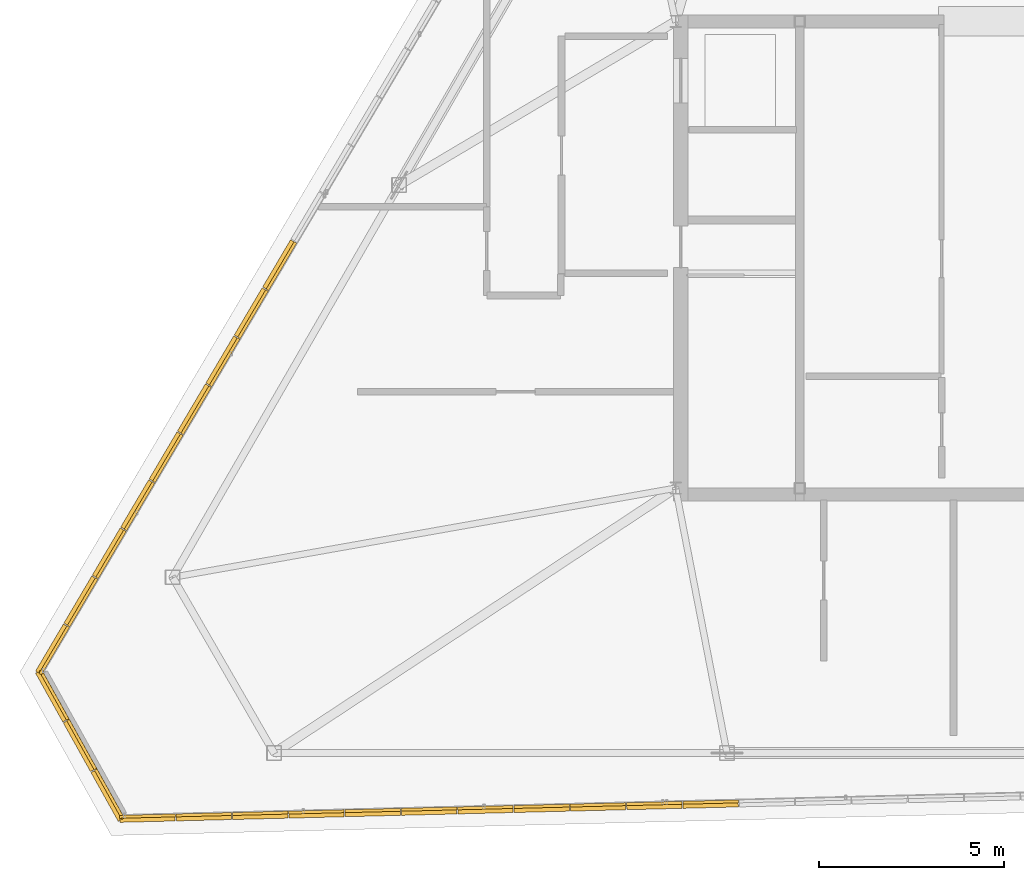
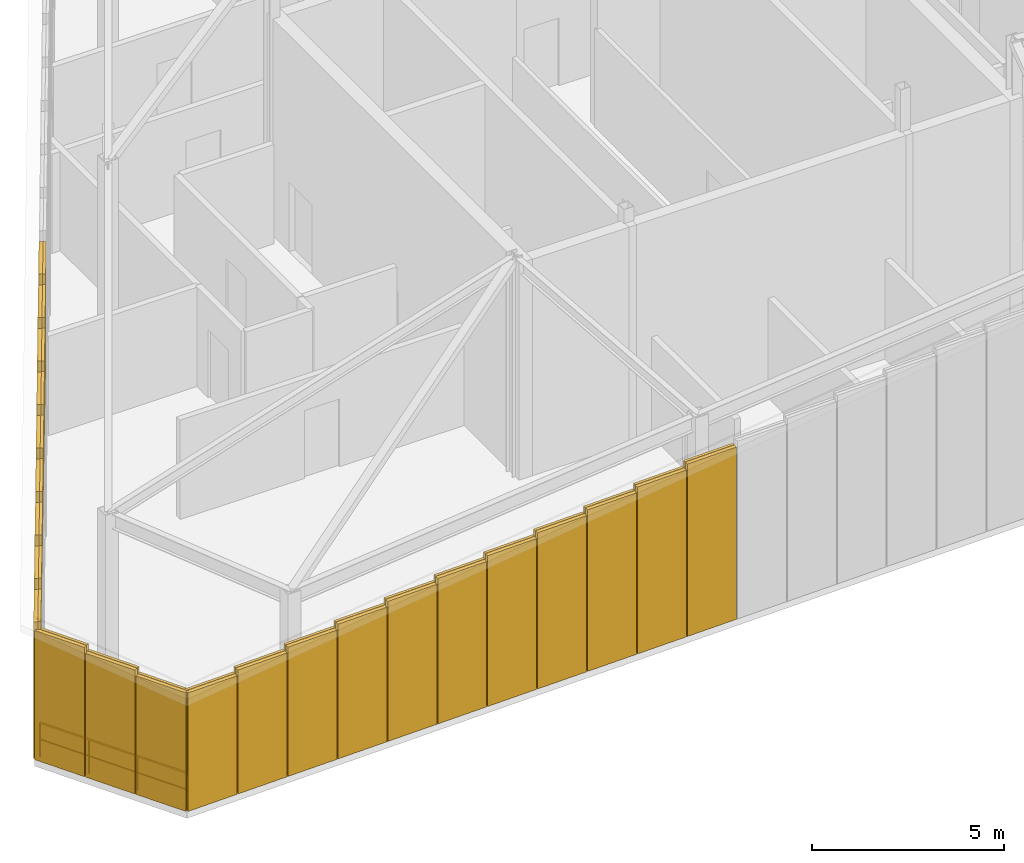
# One storey, part 46 of 50: 23 coverings, 23 shading devices, 1 railing.
"""IFC4 building model written with IfcOpenShell, lengths in metres."""

from ifc_helpers import new_model, si_unit, direction, frame, origin, origin_2d, place, context, subcontext, project, spatial, rectangle, extrude, source, transform, mapped, material, layer, layer_set, type_object, type_shapes, element, save


model = new_model("IFC4")

# Units and contexts
model_context = context("Model", 3, precision=1e-05, world=origin(), true_north=direction((0.0, 1.0)))
body_context = subcontext(model_context, "Body", "Model", "MODEL_VIEW")
ifc_project = project(units=[si_unit("LENGTHUNIT", "METRE"), si_unit("AREAUNIT", "SQUARE_METRE"), si_unit("VOLUMEUNIT", "CUBIC_METRE"), si_unit("PLANEANGLEUNIT", "RADIAN"), si_unit("MASSUNIT", "GRAM", prefix="KILO")], contexts=[model_context])

# Site, building, storey
site_placement = place(None, origin())
site = spatial("IfcSite", under=ifc_project, at=site_placement, CompositionType="ELEMENT")
building_placement = place(site_placement, origin())
building = spatial("IfcBuilding", under=site, at=building_placement, Name="Caelisora Broadcast Tower", CompositionType="ELEMENT")
storey_placement = place(building_placement, frame((0.0, 0.0, 303.39990234375)))
storey = spatial("IfcBuildingStorey", under=building, at=storey_placement, Name="L80", CompositionType="ELEMENT", Elevation=303.39990234375)

# Railing
ifc_material_1 = material(Name="Galvanised Steel Safety Guardrail", Category="steel")
ifc_layer_1 = layer(ifc_material_1, 0.048095703125, Name="Galvanised Steel Safety Guardrail")
ifc_layer_set_1 = layer_set([ifc_layer_1], Name="Galvanised Steel Safety Guardrail")
railing_type = type_object("IfcRailingType", Name="GR-1", PredefinedType="GUARDRAIL", material=ifc_layer_set_1)
railing_placement = place(storey_placement, frame((15.569091796875, 8.551025390625, 0.0)))
element("IfcRailing", 1, at=railing_placement, inside=storey, type_object=railing_type, Name="L80 balustrade GR-1 #03", PredefinedType="GUARDRAIL", context=body_context, shape_type="SweptSolid", body=[
    extrude(rectangle(XDim=0.048095703125, YDim=0.048095703125, at=origin_2d()), frame((0.0, 0.0, 1.076171875), z_axis=(-0.487358366802, 0.87320205125, 0.0), x_axis=(-0.87320205125, -0.487358366802, 0.0)), (0.0, 0.0, 1.0), 4.4443359375),
    extrude(rectangle(XDim=0.03125, YDim=0.03125, at=origin_2d()), frame((0.0, 0.0, 0.550048828125), z_axis=(-0.487358366802, 0.87320205125, 0.0), x_axis=(-0.87320205125, -0.487358366802, 0.0)), (0.0, 0.0, 1.0), 4.4443359375),
    extrude(rectangle(XDim=0.0419921875, YDim=0.0419921875, at=origin_2d()), origin(), (0.0, 0.0, 1.0), 1.052001953125),
    extrude(rectangle(XDim=0.0419921875, YDim=0.0419921875, at=origin_2d()), frame((-0.721923828125, 1.293701171875, 0.0)), (0.0, 0.0, 1.0), 1.052001953125),
    extrude(rectangle(XDim=0.0419921875, YDim=0.0419921875, at=origin_2d()), frame((-1.444091796875, 2.587158203125, 0.0)), (0.0, 0.0, 1.0), 1.052001953125),
    extrude(rectangle(XDim=0.0419921875, YDim=0.0419921875, at=origin_2d()), frame((-2.166015625, 3.880859375, 0.0)), (0.0, 0.0, 1.0), 1.052001953125),
])

# Shading device
ifc_material_2 = material(Name="Anodised Terracotta Aluminium Acoustic Louvre", Category="aluminium")
ifc_layer_2 = layer(ifc_material_2, 0.139892578125, Name="Anodised Terracotta Aluminium Acoustic Louvre")
ifc_layer_set_2 = layer_set([ifc_layer_2], Name="Anodised Terracotta Aluminium Acoustic Louvre")
shading_device_type = type_object("IfcShadingDeviceType", Name="LV-1", PredefinedType="JALOUSIE", material=ifc_layer_set_2)
shared_shape_1 = source(origin(), body_context, "Body", "SweptSolid", [
    extrude(rectangle(XDim=1.475830078125, YDim=0.139892578125, at=origin_2d()), origin(), (0.0, 0.0, 1.0), 6.927001953125),
])
shading_device_1_placement = place(storey_placement, frame((19.790283203125, 23.4326171875, -0.02001953125), z_axis=(0.0, 0.0, 1.0), x_axis=(-0.508891180174, -0.860830858381, 0.0)))
element("IfcShadingDevice", 2, at=shading_device_1_placement, inside=storey, type_object=shading_device_type, Name="L80 crown acoustic louvre #025", PredefinedType="JALOUSIE", context=body_context, shape_type="MappedRepresentation", body=[
    mapped(shared_shape_1, transform((0.0, 0.0, 0.0), scale=1.0)),
])

# Covering
ifc_material_3 = material(Name="Kiln-Fired Terracotta Spandrel Rainscreen Cladding", Category="ceramic")
ifc_layer_3 = layer(ifc_material_3, 0.044921875, Name="Kiln-Fired Terracotta Spandrel Rainscreen Cladding")
ifc_layer_set_3 = layer_set([ifc_layer_3], Name="Kiln-Fired Terracotta Spandrel Rainscreen Cladding")
covering_type = type_object("IfcCoveringType", Name="CL-1", PredefinedType="CLADDING", material=ifc_layer_set_3)
shared_shape_2 = source(origin(), body_context, "Body", "SweptSolid", [
    extrude(rectangle(XDim=1.48583984375, YDim=0.080078125, at=origin_2d()), origin(), (0.0, 0.0, 1.0), 3.576904296875),
])
covering_1_placement = place(storey_placement, frame((19.859130859375, 23.391845703125, 3.34033203125), z_axis=(0.0, 0.0, 1.0), x_axis=(-0.508891180174, -0.860830858381, 0.0)))
element("IfcCovering", 3, at=covering_1_placement, inside=storey, type_object=covering_type, Name="L80 crown fascia cladding #025", PredefinedType="CLADDING", context=body_context, shape_type="MappedRepresentation", body=[
    mapped(shared_shape_2, transform((0.0, 0.0, 0.0), scale=1.0)),
])

# Shading device
shared_shape_3 = source(origin(), body_context, "Body", "SweptSolid", [
    extrude(rectangle(XDim=1.475830078125, YDim=0.139892578125, at=origin_2d()), origin(), (0.0, 0.0, 1.0), 6.60302734375),
])
shading_device_2_placement = place(storey_placement, frame((19.02392578125, 22.135986328125, -0.02001953125), z_axis=(0.0, 0.0, 1.0), x_axis=(-0.508891180174, -0.860830858381, 0.0)))
element("IfcShadingDevice", 4, at=shading_device_2_placement, inside=storey, type_object=shading_device_type, Name="L80 crown acoustic louvre #026", PredefinedType="JALOUSIE", context=body_context, shape_type="MappedRepresentation", body=[
    mapped(shared_shape_3, transform((0.0, 0.0, 0.0), scale=1.0)),
])

# Covering
shared_shape_4 = source(origin(), body_context, "Body", "SweptSolid", [
    extrude(rectangle(XDim=1.48583984375, YDim=0.080078125, at=origin_2d()), origin(), (0.0, 0.0, 1.0), 3.2529296875),
])
covering_2_placement = place(storey_placement, frame((19.0927734375, 22.095458984375, 3.340087890625), z_axis=(0.0, 0.0, 1.0), x_axis=(-0.508891180174, -0.860830858381, 0.0)))
element("IfcCovering", 5, at=covering_2_placement, inside=storey, type_object=covering_type, Name="L80 crown fascia cladding #026", PredefinedType="CLADDING", context=body_context, shape_type="MappedRepresentation", body=[
    mapped(shared_shape_4, transform((0.0, 0.0, 0.0), scale=1.0)),
])

# Shading device
shared_shape_5 = source(origin(), body_context, "Body", "SweptSolid", [
    extrude(rectangle(XDim=1.475830078125, YDim=0.139892578125, at=origin_2d()), origin(), (0.0, 0.0, 1.0), 6.279052734375),
])
shading_device_3_placement = place(storey_placement, frame((18.257568359375, 20.83984375, -0.02001953125), z_axis=(0.0, 0.0, 1.0), x_axis=(-0.508891180174, -0.860830858381, 0.0)))
element("IfcShadingDevice", 6, at=shading_device_3_placement, inside=storey, type_object=shading_device_type, Name="L80 crown acoustic louvre #027", PredefinedType="JALOUSIE", context=body_context, shape_type="MappedRepresentation", body=[
    mapped(shared_shape_5, transform((0.0, 0.0, 0.0), scale=1.0)),
])

# Covering
shared_shape_6 = source(origin(), body_context, "Body", "SweptSolid", [
    extrude(rectangle(XDim=1.48583984375, YDim=0.080078125, at=origin_2d()), origin(), (0.0, 0.0, 1.0), 2.928955078125),
])
covering_3_placement = place(storey_placement, frame((18.326416015625, 20.799072265625, 3.34033203125), z_axis=(0.0, 0.0, 1.0), x_axis=(-0.508891180174, -0.860830858381, 0.0)))
element("IfcCovering", 7, at=covering_3_placement, inside=storey, type_object=covering_type, Name="L80 crown fascia cladding #027", PredefinedType="CLADDING", context=body_context, shape_type="MappedRepresentation", body=[
    mapped(shared_shape_6, transform((0.0, 0.0, 0.0), scale=1.0)),
])

# Shading device
shared_shape_7 = source(origin(), body_context, "Body", "SweptSolid", [
    extrude(rectangle(XDim=1.475830078125, YDim=0.139892578125, at=origin_2d()), origin(), (0.0, 0.0, 1.0), 5.9560546875),
])
shading_device_4_placement = place(storey_placement, frame((17.4912109375, 19.54345703125, -0.02001953125), z_axis=(0.0, 0.0, 1.0), x_axis=(-0.508891180174, -0.860830858381, 0.0)))
element("IfcShadingDevice", 8, at=shading_device_4_placement, inside=storey, type_object=shading_device_type, Name="L80 crown acoustic louvre #028", PredefinedType="JALOUSIE", context=body_context, shape_type="MappedRepresentation", body=[
    mapped(shared_shape_7, transform((0.0, 0.0, 0.0), scale=1.0)),
])

# Covering
shared_shape_8 = source(origin(), body_context, "Body", "SweptSolid", [
    extrude(rectangle(XDim=1.48583984375, YDim=0.080078125, at=origin_2d()), origin(), (0.0, 0.0, 1.0), 2.60595703125),
])
covering_4_placement = place(storey_placement, frame((17.56005859375, 19.502685546875, 3.340087890625), z_axis=(0.0, 0.0, 1.0), x_axis=(-0.508891180174, -0.860830858381, 0.0)))
element("IfcCovering", 9, at=covering_4_placement, inside=storey, type_object=covering_type, Name="L80 crown fascia cladding #028", PredefinedType="CLADDING", context=body_context, shape_type="MappedRepresentation", body=[
    mapped(shared_shape_8, transform((0.0, 0.0, 0.0), scale=1.0)),
])

# Shading device
shared_shape_9 = source(origin(), body_context, "Body", "SweptSolid", [
    extrude(rectangle(XDim=1.475830078125, YDim=0.139892578125, at=origin_2d()), origin(), (0.0, 0.0, 1.0), 5.632080078125),
])
shading_device_5_placement = place(storey_placement, frame((16.724853515625, 18.2470703125, -0.02001953125), z_axis=(0.0, 0.0, 1.0), x_axis=(-0.508891180174, -0.860830858381, 0.0)))
element("IfcShadingDevice", 10, at=shading_device_5_placement, inside=storey, type_object=shading_device_type, Name="L80 crown acoustic louvre #029", PredefinedType="JALOUSIE", context=body_context, shape_type="MappedRepresentation", body=[
    mapped(shared_shape_9, transform((0.0, 0.0, 0.0), scale=1.0)),
])

# Covering
shared_shape_10 = source(origin(), body_context, "Body", "SweptSolid", [
    extrude(rectangle(XDim=1.48583984375, YDim=0.080078125, at=origin_2d()), origin(), (0.0, 0.0, 1.0), 2.281982421875),
])
covering_5_placement = place(storey_placement, frame((16.793701171875, 18.206298828125, 3.34033203125), z_axis=(0.0, 0.0, 1.0), x_axis=(-0.508891180174, -0.860830858381, 0.0)))
element("IfcCovering", 11, at=covering_5_placement, inside=storey, type_object=covering_type, Name="L80 crown fascia cladding #029", PredefinedType="CLADDING", context=body_context, shape_type="MappedRepresentation", body=[
    mapped(shared_shape_10, transform((0.0, 0.0, 0.0), scale=1.0)),
])

# Shading device
shared_shape_11 = source(origin(), body_context, "Body", "SweptSolid", [
    extrude(rectangle(XDim=1.475830078125, YDim=0.139892578125, at=origin_2d()), origin(), (0.0, 0.0, 1.0), 5.30810546875),
])
shading_device_6_placement = place(storey_placement, frame((15.95849609375, 16.95068359375, -0.02001953125), z_axis=(0.0, 0.0, 1.0), x_axis=(-0.508891180174, -0.860830858381, 0.0)))
element("IfcShadingDevice", 12, at=shading_device_6_placement, inside=storey, type_object=shading_device_type, Name="L80 crown acoustic louvre #030", PredefinedType="JALOUSIE", context=body_context, shape_type="MappedRepresentation", body=[
    mapped(shared_shape_11, transform((0.0, 0.0, 0.0), scale=1.0)),
])

# Covering
shared_shape_12 = source(origin(), body_context, "Body", "SweptSolid", [
    extrude(rectangle(XDim=1.48583984375, YDim=0.080078125, at=origin_2d()), origin(), (0.0, 0.0, 1.0), 1.9580078125),
])
covering_6_placement = place(storey_placement, frame((16.027587890625, 16.91015625, 3.340087890625), z_axis=(0.0, 0.0, 1.0), x_axis=(-0.508891180174, -0.860830858381, 0.0)))
element("IfcCovering", 13, at=covering_6_placement, inside=storey, type_object=covering_type, Name="L80 crown fascia cladding #030", PredefinedType="CLADDING", context=body_context, shape_type="MappedRepresentation", body=[
    mapped(shared_shape_12, transform((0.0, 0.0, 0.0), scale=1.0)),
])

# Shading device
shared_shape_13 = source(origin(), body_context, "Body", "SweptSolid", [
    extrude(rectangle(XDim=1.475830078125, YDim=0.139892578125, at=origin_2d()), origin(), (0.0, 0.0, 1.0), 4.98388671875),
])
shading_device_7_placement = place(storey_placement, frame((15.1923828125, 15.654541015625, -0.019775390625), z_axis=(0.0, 0.0, 1.0), x_axis=(-0.508891180174, -0.860830858381, 0.0)))
element("IfcShadingDevice", 14, at=shading_device_7_placement, inside=storey, type_object=shading_device_type, Name="L80 crown acoustic louvre #031", PredefinedType="JALOUSIE", context=body_context, shape_type="MappedRepresentation", body=[
    mapped(shared_shape_13, transform((0.0, 0.0, 0.0), scale=1.0)),
])

# Covering
shared_shape_14 = source(origin(), body_context, "Body", "SweptSolid", [
    extrude(rectangle(XDim=1.48583984375, YDim=0.080078125, at=origin_2d()), origin(), (0.0, 0.0, 1.0), 1.634033203125),
])
covering_7_placement = place(storey_placement, frame((15.260986328125, 15.61376953125, 3.33984375), z_axis=(0.0, 0.0, 1.0), x_axis=(-0.508891180174, -0.860830858381, 0.0)))
element("IfcCovering", 15, at=covering_7_placement, inside=storey, type_object=covering_type, Name="L80 crown fascia cladding #031", PredefinedType="CLADDING", context=body_context, shape_type="MappedRepresentation", body=[
    mapped(shared_shape_14, transform((0.0, 0.0, 0.0), scale=1.0)),
])

# Shading device
shared_shape_15 = source(origin(), body_context, "Body", "SweptSolid", [
    extrude(rectangle(XDim=1.475830078125, YDim=0.139892578125, at=origin_2d()), origin(), (0.0, 0.0, 1.0), 4.660888671875),
])
shading_device_8_placement = place(storey_placement, frame((14.42578125, 14.358154296875, -0.02001953125), z_axis=(0.0, 0.0, 1.0), x_axis=(-0.508891180174, -0.860830858381, 0.0)))
element("IfcShadingDevice", 16, at=shading_device_8_placement, inside=storey, type_object=shading_device_type, Name="L80 crown acoustic louvre #032", PredefinedType="JALOUSIE", context=body_context, shape_type="MappedRepresentation", body=[
    mapped(shared_shape_15, transform((0.0, 0.0, 0.0), scale=1.0)),
])

# Covering
shared_shape_16 = source(origin(), body_context, "Body", "SweptSolid", [
    extrude(rectangle(XDim=1.48583984375, YDim=0.080078125, at=origin_2d()), origin(), (0.0, 0.0, 1.0), 1.31103515625),
])
covering_8_placement = place(storey_placement, frame((14.494873046875, 14.3173828125, 3.340087890625), z_axis=(0.0, 0.0, 1.0), x_axis=(-0.508891180174, -0.860830858381, 0.0)))
element("IfcCovering", 17, at=covering_8_placement, inside=storey, type_object=covering_type, Name="L80 crown fascia cladding #032", PredefinedType="CLADDING", context=body_context, shape_type="MappedRepresentation", body=[
    mapped(shared_shape_16, transform((0.0, 0.0, 0.0), scale=1.0)),
])

# Shading device
shared_shape_17 = source(origin(), body_context, "Body", "SweptSolid", [
    extrude(rectangle(XDim=1.475830078125, YDim=0.139892578125, at=origin_2d()), origin(), (0.0, 0.0, 1.0), 4.3369140625),
])
shading_device_9_placement = place(storey_placement, frame((13.65966796875, 13.061767578125, -0.019775390625), z_axis=(0.0, 0.0, 1.0), x_axis=(-0.508891180174, -0.860830858381, 0.0)))
element("IfcShadingDevice", 18, at=shading_device_9_placement, inside=storey, type_object=shading_device_type, Name="L80 crown acoustic louvre #033", PredefinedType="JALOUSIE", context=body_context, shape_type="MappedRepresentation", body=[
    mapped(shared_shape_17, transform((0.0, 0.0, 0.0), scale=1.0)),
])

# Covering
shared_shape_18 = source(origin(), body_context, "Body", "SweptSolid", [
    extrude(rectangle(XDim=1.48583984375, YDim=0.080078125, at=origin_2d()), origin(), (0.0, 0.0, 1.0), 0.987060546875),
])
covering_9_placement = place(storey_placement, frame((13.728515625, 13.02099609375, 3.33984375), z_axis=(0.0, 0.0, 1.0), x_axis=(-0.508891180174, -0.860830858381, 0.0)))
element("IfcCovering", 19, at=covering_9_placement, inside=storey, type_object=covering_type, Name="L80 crown fascia cladding #033", PredefinedType="CLADDING", context=body_context, shape_type="MappedRepresentation", body=[
    mapped(shared_shape_18, transform((0.0, 0.0, 0.0), scale=1.0)),
])

# Shading device
shared_shape_19 = source(origin(), body_context, "Body", "SweptSolid", [
    extrude(rectangle(XDim=1.50634765625, YDim=0.139892578125, at=origin_2d()), origin(), (0.0, 0.0, 1.0), 4.097900390625),
])
shading_device_10_placement = place(storey_placement, frame((13.6513671875, 11.78271484375, -0.02001953125), z_axis=(0.0, 0.0, 1.0), x_axis=(0.487250125725, -0.87326245481, 0.0)))
element("IfcShadingDevice", 20, at=shading_device_10_placement, inside=storey, type_object=shading_device_type, Name="L80 crown acoustic louvre #034", PredefinedType="JALOUSIE", context=body_context, shape_type="MappedRepresentation", body=[
    mapped(shared_shape_19, transform((0.0, 0.0, 0.0), scale=1.0)),
])

# Covering
shared_shape_20 = source(origin(), body_context, "Body", "SweptSolid", [
    extrude(rectangle(XDim=1.516357421875, YDim=0.080078125, at=origin_2d()), origin(), (0.0, 0.0, 1.0), 0.748046875),
])
covering_10_placement = place(storey_placement, frame((13.72119140625, 11.821533203125, 3.340087890625), z_axis=(0.0, 0.0, 1.0), x_axis=(0.487250125725, -0.87326245481, 0.0)))
element("IfcCovering", 21, at=covering_10_placement, inside=storey, type_object=covering_type, Name="L80 crown fascia cladding #034", PredefinedType="CLADDING", context=body_context, shape_type="MappedRepresentation", body=[
    mapped(shared_shape_20, transform((0.0, 0.0, 0.0), scale=1.0)),
])

# Shading device
shared_shape_21 = source(origin(), body_context, "Body", "SweptSolid", [
    extrude(rectangle(XDim=1.50634765625, YDim=0.139892578125, at=origin_2d()), origin(), (0.0, 0.0, 1.0), 3.927978515625),
])
shading_device_11_placement = place(storey_placement, frame((14.39990234375, 10.44091796875, -0.02001953125), z_axis=(0.0, 0.0, 1.0), x_axis=(0.487250125725, -0.87326245481, 0.0)))
element("IfcShadingDevice", 22, at=shading_device_11_placement, inside=storey, type_object=shading_device_type, Name="L80 crown acoustic louvre #035", PredefinedType="JALOUSIE", context=body_context, shape_type="MappedRepresentation", body=[
    mapped(shared_shape_21, transform((0.0, 0.0, 0.0), scale=1.0)),
])

# Covering
shared_shape_22 = source(origin(), body_context, "Body", "SweptSolid", [
    extrude(rectangle(XDim=1.516357421875, YDim=0.080078125, at=origin_2d()), origin(), (0.0, 0.0, 1.0), 0.577880859375),
])
covering_11_placement = place(storey_placement, frame((14.4697265625, 10.47998046875, 3.34033203125), z_axis=(0.0, 0.0, 1.0), x_axis=(0.487250125725, -0.87326245481, 0.0)))
element("IfcCovering", 23, at=covering_11_placement, inside=storey, type_object=covering_type, Name="L80 crown fascia cladding #035", PredefinedType="CLADDING", context=body_context, shape_type="MappedRepresentation", body=[
    mapped(shared_shape_22, transform((0.0, 0.0, 0.0), scale=1.0)),
])

# Shading device
shared_shape_23 = source(origin(), body_context, "Body", "SweptSolid", [
    extrude(rectangle(XDim=1.50634765625, YDim=0.139892578125, at=origin_2d()), origin(), (0.0, 0.0, 1.0), 3.759033203125),
])
shading_device_12_placement = place(storey_placement, frame((15.148681640625, 9.099365234375, -0.02001953125), z_axis=(0.0, 0.0, 1.0), x_axis=(0.487250125725, -0.87326245481, 0.0)))
element("IfcShadingDevice", 24, at=shading_device_12_placement, inside=storey, type_object=shading_device_type, Name="L80 crown acoustic louvre #036", PredefinedType="JALOUSIE", context=body_context, shape_type="MappedRepresentation", body=[
    mapped(shared_shape_23, transform((0.0, 0.0, 0.0), scale=1.0)),
])

# Covering
shared_shape_24 = source(origin(), body_context, "Body", "SweptSolid", [
    extrude(rectangle(XDim=1.516357421875, YDim=0.080078125, at=origin_2d()), origin(), (0.0, 0.0, 1.0), 0.408935546875),
])
covering_12_placement = place(storey_placement, frame((15.218505859375, 9.13818359375, 3.34033203125), z_axis=(0.0, 0.0, 1.0), x_axis=(0.487250125725, -0.87326245481, 0.0)))
element("IfcCovering", 25, at=covering_12_placement, inside=storey, type_object=covering_type, Name="L80 crown fascia cladding #036", PredefinedType="CLADDING", context=body_context, shape_type="MappedRepresentation", body=[
    mapped(shared_shape_24, transform((0.0, 0.0, 0.0), scale=1.0)),
])

# Shading device
shared_shape_25 = source(origin(), body_context, "Body", "SweptSolid", [
    extrude(rectangle(XDim=1.490478515625, YDim=0.139892578125, at=origin_2d()), origin(), (0.0, 0.0, 1.0), 3.760009765625),
])
shading_device_13_placement = place(storey_placement, frame((16.2470703125, 8.468017578125, -0.02001953125), z_axis=(0.0, 0.0, 1.0), x_axis=(0.999688560086, 0.024955617256, 0.0)))
element("IfcShadingDevice", 26, at=shading_device_13_placement, inside=storey, type_object=shading_device_type, Name="L80 crown acoustic louvre #037", PredefinedType="JALOUSIE", context=body_context, shape_type="MappedRepresentation", body=[
    mapped(shared_shape_25, transform((0.0, 0.0, 0.0), scale=1.0)),
])

# Covering
shared_shape_26 = source(origin(), body_context, "Body", "SweptSolid", [
    extrude(rectangle(XDim=1.50048828125, YDim=0.080078125, at=origin_2d()), origin(), (0.0, 0.0, 1.0), 0.409912109375),
])
covering_13_placement = place(storey_placement, frame((16.2451171875, 8.5478515625, 3.34033203125), z_axis=(0.0, 0.0, 1.0), x_axis=(0.999688560086, 0.024955617256, 0.0)))
element("IfcCovering", 27, at=covering_13_placement, inside=storey, type_object=covering_type, Name="L80 crown fascia cladding #037", PredefinedType="CLADDING", context=body_context, shape_type="MappedRepresentation", body=[
    mapped(shared_shape_26, transform((0.0, 0.0, 0.0), scale=1.0)),
])

# Shading device
shared_shape_27 = source(origin(), body_context, "Body", "SweptSolid", [
    extrude(rectangle(XDim=1.490478515625, YDim=0.139892578125, at=origin_2d()), origin(), (0.0, 0.0, 1.0), 3.929931640625),
])
shading_device_14_placement = place(storey_placement, frame((17.766845703125, 8.505859375, -0.02001953125), z_axis=(0.0, 0.0, 1.0), x_axis=(0.999688560086, 0.024955617256, 0.0)))
element("IfcShadingDevice", 28, at=shading_device_14_placement, inside=storey, type_object=shading_device_type, Name="L80 crown acoustic louvre #038", PredefinedType="JALOUSIE", context=body_context, shape_type="MappedRepresentation", body=[
    mapped(shared_shape_27, transform((0.0, 0.0, 0.0), scale=1.0)),
])

# Covering
shared_shape_28 = source(origin(), body_context, "Body", "SweptSolid", [
    extrude(rectangle(XDim=1.50048828125, YDim=0.080078125, at=origin_2d()), origin(), (0.0, 0.0, 1.0), 0.580078125),
])
covering_14_placement = place(storey_placement, frame((17.764892578125, 8.585693359375, 3.340087890625), z_axis=(0.0, 0.0, 1.0), x_axis=(0.999688560086, 0.024955617256, 0.0)))
element("IfcCovering", 29, at=covering_14_placement, inside=storey, type_object=covering_type, Name="L80 crown fascia cladding #038", PredefinedType="CLADDING", context=body_context, shape_type="MappedRepresentation", body=[
    mapped(shared_shape_28, transform((0.0, 0.0, 0.0), scale=1.0)),
])

# Shading device
shared_shape_29 = source(origin(), body_context, "Body", "SweptSolid", [
    extrude(rectangle(XDim=1.490478515625, YDim=0.139892578125, at=origin_2d()), origin(), (0.0, 0.0, 1.0), 4.10009765625),
])
shading_device_15_placement = place(storey_placement, frame((19.28662109375, 8.543701171875, -0.02001953125), z_axis=(0.0, 0.0, 1.0), x_axis=(0.999688560086, 0.024955617256, 0.0)))
element("IfcShadingDevice", 30, at=shading_device_15_placement, inside=storey, type_object=shading_device_type, Name="L80 crown acoustic louvre #039", PredefinedType="JALOUSIE", context=body_context, shape_type="MappedRepresentation", body=[
    mapped(shared_shape_29, transform((0.0, 0.0, 0.0), scale=1.0)),
])

# Covering
shared_shape_30 = source(origin(), body_context, "Body", "SweptSolid", [
    extrude(rectangle(XDim=1.50048828125, YDim=0.080078125, at=origin_2d()), origin(), (0.0, 0.0, 1.0), 0.75),
])
covering_15_placement = place(storey_placement, frame((19.284912109375, 8.62353515625, 3.340087890625), z_axis=(0.0, 0.0, 1.0), x_axis=(0.999688560086, 0.024955617256, 0.0)))
element("IfcCovering", 31, at=covering_15_placement, inside=storey, type_object=covering_type, Name="L80 crown fascia cladding #039", PredefinedType="CLADDING", context=body_context, shape_type="MappedRepresentation", body=[
    mapped(shared_shape_30, transform((0.0, 0.0, 0.0), scale=1.0)),
])

# Shading device
shared_shape_31 = source(origin(), body_context, "Body", "SweptSolid", [
    extrude(rectangle(XDim=1.490478515625, YDim=0.139892578125, at=origin_2d()), origin(), (0.0, 0.0, 1.0), 4.27099609375),
])
shading_device_16_placement = place(storey_placement, frame((20.806640625, 8.58154296875, -0.02001953125), z_axis=(0.0, 0.0, 1.0), x_axis=(0.999688560086, 0.024955617256, 0.0)))
element("IfcShadingDevice", 32, at=shading_device_16_placement, inside=storey, type_object=shading_device_type, Name="L80 crown acoustic louvre #040", PredefinedType="JALOUSIE", context=body_context, shape_type="MappedRepresentation", body=[
    mapped(shared_shape_31, transform((0.0, 0.0, 0.0), scale=1.0)),
])

# Covering
shared_shape_32 = source(origin(), body_context, "Body", "SweptSolid", [
    extrude(rectangle(XDim=1.50048828125, YDim=0.080078125, at=origin_2d()), origin(), (0.0, 0.0, 1.0), 0.9208984375),
])
covering_16_placement = place(storey_placement, frame((20.8046875, 8.66162109375, 3.340087890625), z_axis=(0.0, 0.0, 1.0), x_axis=(0.999688560086, 0.024955617256, 0.0)))
element("IfcCovering", 33, at=covering_16_placement, inside=storey, type_object=covering_type, Name="L80 crown fascia cladding #040", PredefinedType="CLADDING", context=body_context, shape_type="MappedRepresentation", body=[
    mapped(shared_shape_32, transform((0.0, 0.0, 0.0), scale=1.0)),
])

# Shading device
shared_shape_33 = source(origin(), body_context, "Body", "SweptSolid", [
    extrude(rectangle(XDim=1.490478515625, YDim=0.139892578125, at=origin_2d()), origin(), (0.0, 0.0, 1.0), 4.44091796875),
])
shading_device_17_placement = place(storey_placement, frame((22.326416015625, 8.619384765625, -0.019775390625), z_axis=(0.0, 0.0, 1.0), x_axis=(0.999688560086, 0.024955617256, 0.0)))
element("IfcShadingDevice", 34, at=shading_device_17_placement, inside=storey, type_object=shading_device_type, Name="L80 crown acoustic louvre #041", PredefinedType="JALOUSIE", context=body_context, shape_type="MappedRepresentation", body=[
    mapped(shared_shape_33, transform((0.0, 0.0, 0.0), scale=1.0)),
])

# Covering
shared_shape_34 = source(origin(), body_context, "Body", "SweptSolid", [
    extrude(rectangle(XDim=1.50048828125, YDim=0.080078125, at=origin_2d()), origin(), (0.0, 0.0, 1.0), 1.091064453125),
])
covering_17_placement = place(storey_placement, frame((22.324462890625, 8.69921875, 3.33984375), z_axis=(0.0, 0.0, 1.0), x_axis=(0.999688560086, 0.024955617256, 0.0)))
element("IfcCovering", 35, at=covering_17_placement, inside=storey, type_object=covering_type, Name="L80 crown fascia cladding #041", PredefinedType="CLADDING", context=body_context, shape_type="MappedRepresentation", body=[
    mapped(shared_shape_34, transform((0.0, 0.0, 0.0), scale=1.0)),
])

# Shading device
shared_shape_35 = source(origin(), body_context, "Body", "SweptSolid", [
    extrude(rectangle(XDim=1.490478515625, YDim=0.139892578125, at=origin_2d()), origin(), (0.0, 0.0, 1.0), 4.612060546875),
])
shading_device_18_placement = place(storey_placement, frame((23.846435546875, 8.6572265625, -0.02001953125), z_axis=(0.0, 0.0, 1.0), x_axis=(0.999688560086, 0.024955617256, 0.0)))
element("IfcShadingDevice", 36, at=shading_device_18_placement, inside=storey, type_object=shading_device_type, Name="L80 crown acoustic louvre #042", PredefinedType="JALOUSIE", context=body_context, shape_type="MappedRepresentation", body=[
    mapped(shared_shape_35, transform((0.0, 0.0, 0.0), scale=1.0)),
])

# Covering
shared_shape_36 = source(origin(), body_context, "Body", "SweptSolid", [
    extrude(rectangle(XDim=1.50048828125, YDim=0.080078125, at=origin_2d()), origin(), (0.0, 0.0, 1.0), 1.261962890625),
])
covering_18_placement = place(storey_placement, frame((23.844482421875, 8.7373046875, 3.34033203125), z_axis=(0.0, 0.0, 1.0), x_axis=(0.999688560086, 0.024955617256, 0.0)))
element("IfcCovering", 37, at=covering_18_placement, inside=storey, type_object=covering_type, Name="L80 crown fascia cladding #042", PredefinedType="CLADDING", context=body_context, shape_type="MappedRepresentation", body=[
    mapped(shared_shape_36, transform((0.0, 0.0, 0.0), scale=1.0)),
])

# Shading device
shared_shape_37 = source(origin(), body_context, "Body", "SweptSolid", [
    extrude(rectangle(XDim=1.490478515625, YDim=0.139892578125, at=origin_2d()), origin(), (0.0, 0.0, 1.0), 4.781982421875),
])
shading_device_19_placement = place(storey_placement, frame((25.3662109375, 8.695068359375, -0.02001953125), z_axis=(0.0, 0.0, 1.0), x_axis=(0.999688560086, 0.024955617256, 0.0)))
element("IfcShadingDevice", 38, at=shading_device_19_placement, inside=storey, type_object=shading_device_type, Name="L80 crown acoustic louvre #043", PredefinedType="JALOUSIE", context=body_context, shape_type="MappedRepresentation", body=[
    mapped(shared_shape_37, transform((0.0, 0.0, 0.0), scale=1.0)),
])

# Covering
shared_shape_38 = source(origin(), body_context, "Body", "SweptSolid", [
    extrude(rectangle(XDim=1.50048828125, YDim=0.080078125, at=origin_2d()), origin(), (0.0, 0.0, 1.0), 1.431884765625),
])
covering_19_placement = place(storey_placement, frame((25.3642578125, 8.775146484375, 3.34033203125), z_axis=(0.0, 0.0, 1.0), x_axis=(0.999688560086, 0.024955617256, 0.0)))
element("IfcCovering", 39, at=covering_19_placement, inside=storey, type_object=covering_type, Name="L80 crown fascia cladding #043", PredefinedType="CLADDING", context=body_context, shape_type="MappedRepresentation", body=[
    mapped(shared_shape_38, transform((0.0, 0.0, 0.0), scale=1.0)),
])

# Shading device
shared_shape_39 = source(origin(), body_context, "Body", "SweptSolid", [
    extrude(rectangle(XDim=1.490478515625, YDim=0.139892578125, at=origin_2d()), origin(), (0.0, 0.0, 1.0), 4.952880859375),
])
shading_device_20_placement = place(storey_placement, frame((26.88623046875, 8.73291015625, -0.02001953125), z_axis=(0.0, 0.0, 1.0), x_axis=(0.999688560086, 0.024955617256, 0.0)))
element("IfcShadingDevice", 40, at=shading_device_20_placement, inside=storey, type_object=shading_device_type, Name="L80 crown acoustic louvre #044", PredefinedType="JALOUSIE", context=body_context, shape_type="MappedRepresentation", body=[
    mapped(shared_shape_39, transform((0.0, 0.0, 0.0), scale=1.0)),
])

# Covering
shared_shape_40 = source(origin(), body_context, "Body", "SweptSolid", [
    extrude(rectangle(XDim=1.50048828125, YDim=0.080078125, at=origin_2d()), origin(), (0.0, 0.0, 1.0), 1.60302734375),
])
covering_20_placement = place(storey_placement, frame((26.88427734375, 8.81298828125, 3.340087890625), z_axis=(0.0, 0.0, 1.0), x_axis=(0.999688560086, 0.024955617256, 0.0)))
element("IfcCovering", 41, at=covering_20_placement, inside=storey, type_object=covering_type, Name="L80 crown fascia cladding #044", PredefinedType="CLADDING", context=body_context, shape_type="MappedRepresentation", body=[
    mapped(shared_shape_40, transform((0.0, 0.0, 0.0), scale=1.0)),
])

# Shading device
shared_shape_41 = source(origin(), body_context, "Body", "SweptSolid", [
    extrude(rectangle(XDim=1.490478515625, YDim=0.139892578125, at=origin_2d()), origin(), (0.0, 0.0, 1.0), 5.123046875),
])
shading_device_21_placement = place(storey_placement, frame((28.406005859375, 8.770751953125, -0.02001953125), z_axis=(0.0, 0.0, 1.0), x_axis=(0.999688560086, 0.024955617256, 0.0)))
element("IfcShadingDevice", 42, at=shading_device_21_placement, inside=storey, type_object=shading_device_type, Name="L80 crown acoustic louvre #045", PredefinedType="JALOUSIE", context=body_context, shape_type="MappedRepresentation", body=[
    mapped(shared_shape_41, transform((0.0, 0.0, 0.0), scale=1.0)),
])

# Covering
shared_shape_42 = source(origin(), body_context, "Body", "SweptSolid", [
    extrude(rectangle(XDim=1.50048828125, YDim=0.080078125, at=origin_2d()), origin(), (0.0, 0.0, 1.0), 1.77294921875),
])
covering_21_placement = place(storey_placement, frame((28.404052734375, 8.850830078125, 3.340087890625), z_axis=(0.0, 0.0, 1.0), x_axis=(0.999688560086, 0.024955617256, 0.0)))
element("IfcCovering", 43, at=covering_21_placement, inside=storey, type_object=covering_type, Name="L80 crown fascia cladding #045", PredefinedType="CLADDING", context=body_context, shape_type="MappedRepresentation", body=[
    mapped(shared_shape_42, transform((0.0, 0.0, 0.0), scale=1.0)),
])

# Shading device
shared_shape_43 = source(origin(), body_context, "Body", "SweptSolid", [
    extrude(rectangle(XDim=1.490478515625, YDim=0.139892578125, at=origin_2d()), origin(), (0.0, 0.0, 1.0), 5.29296875),
])
shading_device_22_placement = place(storey_placement, frame((29.926025390625, 8.80859375, -0.019775390625), z_axis=(0.0, 0.0, 1.0), x_axis=(0.999688560086, 0.024955617256, 0.0)))
element("IfcShadingDevice", 44, at=shading_device_22_placement, inside=storey, type_object=shading_device_type, Name="L80 crown acoustic louvre #046", PredefinedType="JALOUSIE", context=body_context, shape_type="MappedRepresentation", body=[
    mapped(shared_shape_43, transform((0.0, 0.0, 0.0), scale=1.0)),
])

# Covering
shared_shape_44 = source(origin(), body_context, "Body", "SweptSolid", [
    extrude(rectangle(XDim=1.50048828125, YDim=0.080078125, at=origin_2d()), origin(), (0.0, 0.0, 1.0), 1.943115234375),
])
covering_22_placement = place(storey_placement, frame((29.924072265625, 8.888671875, 3.33984375), z_axis=(0.0, 0.0, 1.0), x_axis=(0.999688560086, 0.024955617256, 0.0)))
element("IfcCovering", 45, at=covering_22_placement, inside=storey, type_object=covering_type, Name="L80 crown fascia cladding #046", PredefinedType="CLADDING", context=body_context, shape_type="MappedRepresentation", body=[
    mapped(shared_shape_44, transform((0.0, 0.0, 0.0), scale=1.0)),
])

# Shading device
shared_shape_45 = source(origin(), body_context, "Body", "SweptSolid", [
    extrude(rectangle(XDim=1.490478515625, YDim=0.139892578125, at=origin_2d()), origin(), (0.0, 0.0, 1.0), 5.464111328125),
])
type_shapes(shading_device_type, [shared_shape_1, shared_shape_3, shared_shape_5, shared_shape_7, shared_shape_9, shared_shape_11, shared_shape_13, shared_shape_15, shared_shape_17, shared_shape_19, shared_shape_21, shared_shape_23, shared_shape_25, shared_shape_27, shared_shape_29, shared_shape_31, shared_shape_33, shared_shape_35, shared_shape_37, shared_shape_39, shared_shape_41, shared_shape_43, shared_shape_45])
shading_device_23_placement = place(storey_placement, frame((31.44580078125, 8.846435546875, -0.02001953125), z_axis=(0.0, 0.0, 1.0), x_axis=(0.999688560086, 0.024955617256, 0.0)))
element("IfcShadingDevice", 46, at=shading_device_23_placement, inside=storey, type_object=shading_device_type, Name="L80 crown acoustic louvre #047", PredefinedType="JALOUSIE", context=body_context, shape_type="MappedRepresentation", body=[
    mapped(shared_shape_45, transform((0.0, 0.0, 0.0), scale=1.0)),
])

# Covering
shared_shape_46 = source(origin(), body_context, "Body", "SweptSolid", [
    extrude(rectangle(XDim=1.50048828125, YDim=0.080078125, at=origin_2d()), origin(), (0.0, 0.0, 1.0), 2.114013671875),
])
type_shapes(covering_type, [shared_shape_2, shared_shape_4, shared_shape_6, shared_shape_8, shared_shape_10, shared_shape_12, shared_shape_14, shared_shape_16, shared_shape_18, shared_shape_20, shared_shape_22, shared_shape_24, shared_shape_26, shared_shape_28, shared_shape_30, shared_shape_32, shared_shape_34, shared_shape_36, shared_shape_38, shared_shape_40, shared_shape_42, shared_shape_44, shared_shape_46])
covering_23_placement = place(storey_placement, frame((31.44384765625, 8.926513671875, 3.34033203125), z_axis=(0.0, 0.0, 1.0), x_axis=(0.999688560086, 0.024955617256, 0.0)))
element("IfcCovering", 47, at=covering_23_placement, inside=storey, type_object=covering_type, Name="L80 crown fascia cladding #047", PredefinedType="CLADDING", context=body_context, shape_type="MappedRepresentation", body=[
    mapped(shared_shape_46, transform((0.0, 0.0, 0.0), scale=1.0)),
])

save(model, "model.ifc")
